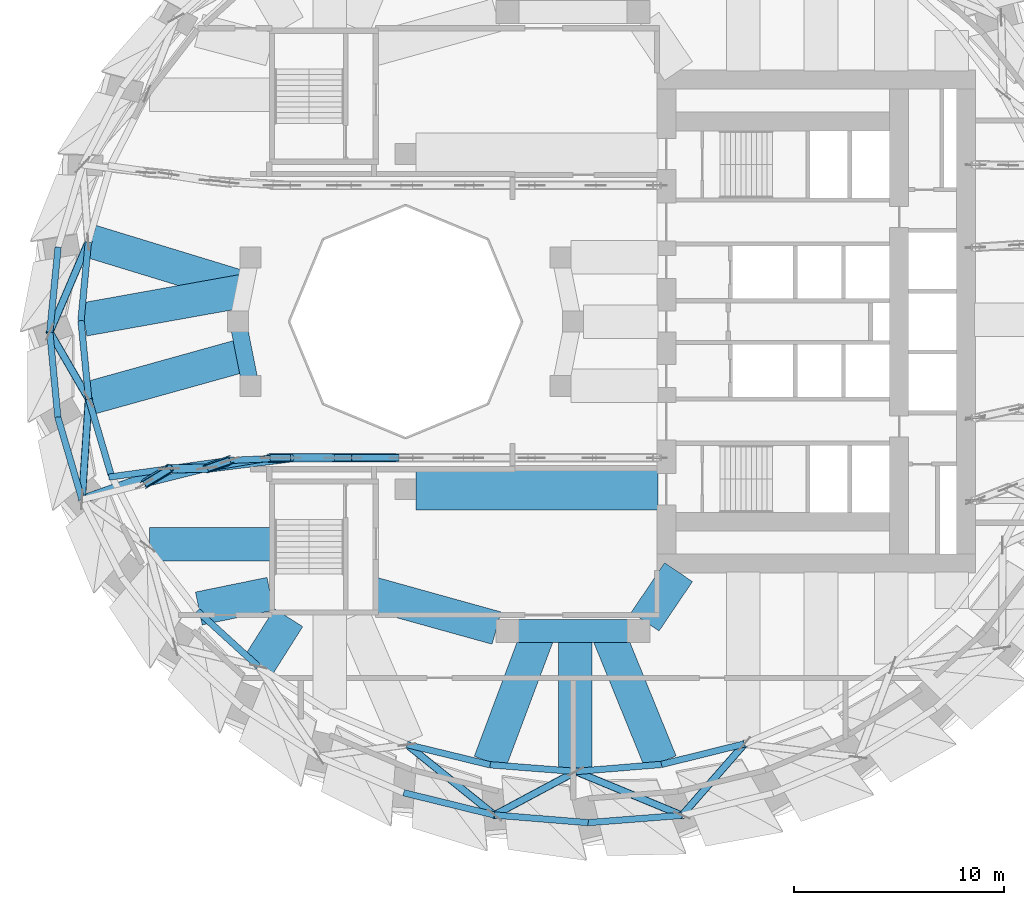
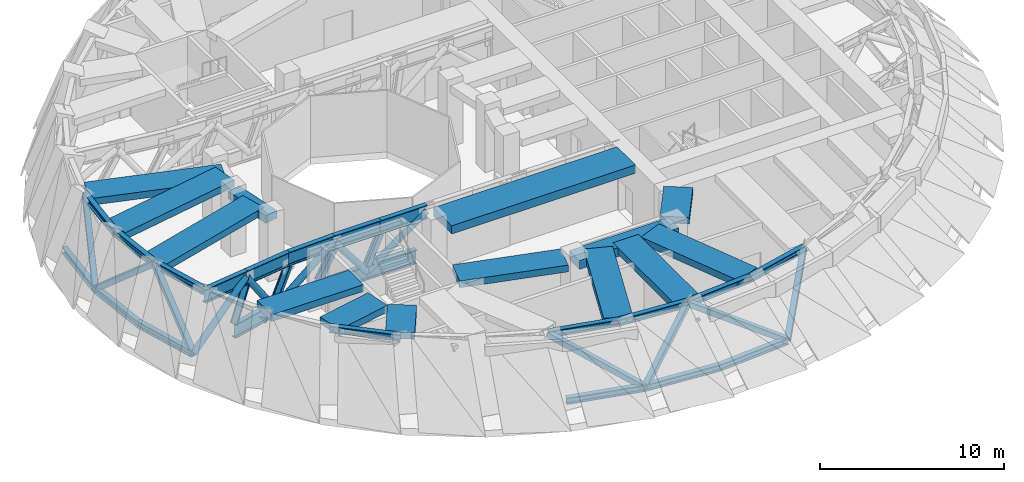
# One storey, part 2 of 14: 39 members, 14 beams.
"""IFC4 building model written with IfcOpenShell, lengths in metres."""

from ifc_helpers import new_model, si_unit, direction, frame, origin, origin_2d, place, context, subcontext, project, spatial, rectangle, hollow_rectangle, hollow_circle, i_section, extrude, material, material_profile, profile_set, type_object, element, save


model = new_model("IFC4")

# Units and contexts
model_context = context("Model", 3, precision=1e-05, world=origin(), true_north=direction((0.0, 1.0)))
body_context = subcontext(model_context, "Body", "Model", "MODEL_VIEW")
ifc_project = project(units=[si_unit("LENGTHUNIT", "METRE"), si_unit("AREAUNIT", "SQUARE_METRE"), si_unit("VOLUMEUNIT", "CUBIC_METRE"), si_unit("PLANEANGLEUNIT", "RADIAN"), si_unit("MASSUNIT", "GRAM", prefix="KILO")], contexts=[model_context])

# Site, building, storey
site_placement = place(None, origin())
site = spatial("IfcSite", under=ifc_project, at=site_placement, CompositionType="ELEMENT")
building_placement = place(site_placement, origin())
building = spatial("IfcBuilding", under=site, at=building_placement, Name="Taillehof Tower", CompositionType="ELEMENT")
storey_placement = place(building_placement, frame((0.0, 0.0, 135.10009765625)))
storey = spatial("IfcBuildingStorey", under=building, at=storey_placement, Name="L38", CompositionType="ELEMENT", Elevation=135.10009765625)

# Beam
ifc_material_1 = material(Name="Concrete C50/60", Category="concrete")
ifc_material_profile_1 = material_profile(ifc_material_1, rectangle(XDim=0.800048828125, YDim=0.5, at=origin_2d()), Name="RC 800x500")
ifc_profile_set_1 = profile_set([ifc_material_profile_1], Name="Concrete C50/60")
beam_type_1 = type_object("IfcBeamType", Name="Atrium ring beam C50/60 800x500", PredefinedType="BEAM", material=ifc_profile_set_1)
beam_1_placement = place(storey_placement, frame((-16.0, 0.0, 3.83984375), z_axis=(0.195063155143, -0.980790683839, 0.0), x_axis=(0.980790683839, 0.195063155143, 0.0)))
element("IfcBeam", 1, at=beam_1_placement, inside=storey, type_object=beam_type_1, Name="Atrium ring beam AB05", PredefinedType="BEAM", context=body_context, shape_type="SweptSolid", body=[
    extrude(rectangle(XDim=0.800048828125, YDim=0.5, at=origin_2d()), origin(), (0.0, 0.0, 1.0), 3.12158203125),
])

# Members
ifc_material_2 = material(Name="Steel S460M", Category="steel")
ifc_material_profile_2 = material_profile(ifc_material_2, i_section(OverallWidth=0.306884765625, OverallDepth=0.431884765625, WebThickness=0.02099609375, FlangeThickness=0.0400390625, FilletRadius=0.027099609375, at=origin_2d()), Name="HEM 400")
ifc_profile_set_2 = profile_set([ifc_material_profile_2], Name="Steel S460M")
member_type_1 = type_object("IfcMemberType", Name="Belt truss chord HEM 400", PredefinedType="CHORD", material=ifc_profile_set_2)
member_1_placement = place(storey_placement, frame((-24.578369140625, 3.553955078125, 0.89990234375), z_axis=(-0.09765758096, -0.995220074597, 0.0), x_axis=(0.995220074597, -0.09765758096, 0.0)))
element("IfcMember", 2, at=member_1_placement, inside=storey, type_object=member_type_1, Name="Belt truss bottom chord BB18", PredefinedType="CHORD", context=body_context, shape_type="SweptSolid", body=[
    extrude(i_section(OverallWidth=0.306884765625, OverallDepth=0.431884765625, WebThickness=0.02099609375, FlangeThickness=0.0400390625, FilletRadius=0.027099609375, at=origin_2d()), origin(), (0.0, 0.0, 1.0), 4.072509765625),
])
member_2_placement = place(storey_placement, frame((-23.13671875, 3.80029296875, 3.8740234375), z_axis=(-0.09287291107, -0.995677971228, 0.0), x_axis=(0.995677971228, -0.09287291107, 0.0)))
element("IfcMember", 3, at=member_2_placement, inside=storey, type_object=member_type_1, Name="Belt truss top chord BT18", PredefinedType="CHORD", context=body_context, shape_type="SweptSolid", body=[
    extrude(i_section(OverallWidth=0.306884765625, OverallDepth=0.431884765625, WebThickness=0.02099609375, FlangeThickness=0.0400390625, FilletRadius=0.027099609375, at=origin_2d()), origin(), (0.0, 0.0, 1.0), 3.76708984375),
])
member_3_placement = place(storey_placement, frame((-24.97607421875, -0.4990234375, 0.89990234375), z_axis=(0.094025700934, -0.995569770314, 0.0), x_axis=(0.995569770314, 0.094025700934, 0.0)))
element("IfcMember", 4, at=member_3_placement, inside=storey, type_object=member_type_1, Name="Belt truss bottom chord BB19", PredefinedType="CHORD", context=body_context, shape_type="SweptSolid", body=[
    extrude(i_section(OverallWidth=0.306884765625, OverallDepth=0.431884765625, WebThickness=0.02099609375, FlangeThickness=0.0400390625, FilletRadius=0.027099609375, at=origin_2d()), origin(), (0.0, 0.0, 1.0), 4.073974609375),
])
member_4_placement = place(storey_placement, frame((-23.486572265625, 0.049560546875, 3.8740234375), z_axis=(0.097584016688, -0.995227290465, 0.0), x_axis=(0.995227290465, 0.097584016688, 0.0)))
element("IfcMember", 5, at=member_4_placement, inside=storey, type_object=member_type_1, Name="Belt truss top chord BT19", PredefinedType="CHORD", context=body_context, shape_type="SweptSolid", body=[
    extrude(i_section(OverallWidth=0.306884765625, OverallDepth=0.431884765625, WebThickness=0.02099609375, FlangeThickness=0.0400390625, FilletRadius=0.027099609375, at=origin_2d()), origin(), (0.0, 0.0, 1.0), 3.765380859375),
])
member_5_placement = place(storey_placement, frame((-24.593017578125, -4.554931640625, 0.89990234375), z_axis=(0.281163604356, -0.959659849939, 0.0), x_axis=(0.959659849939, 0.281163604356, 0.0)))
element("IfcMember", 6, at=member_5_placement, inside=storey, type_object=member_type_1, Name="Belt truss bottom chord BB20", PredefinedType="CHORD", context=body_context, shape_type="SweptSolid", body=[
    extrude(i_section(OverallWidth=0.306884765625, OverallDepth=0.431884765625, WebThickness=0.02099609375, FlangeThickness=0.0400390625, FilletRadius=0.027099609375, at=origin_2d()), origin(), (0.0, 0.0, 1.0), 4.10009765625),
])
member_6_placement = place(storey_placement, frame((-23.119140625, -3.69775390625, 3.8740234375), z_axis=(0.283422973782, -0.958995004123, 0.0), x_axis=(0.958995004123, 0.283422973782, 0.0)))
element("IfcMember", 7, at=member_6_placement, inside=storey, type_object=member_type_1, Name="Belt truss top chord BT20", PredefinedType="CHORD", context=body_context, shape_type="SweptSolid", body=[
    extrude(i_section(OverallWidth=0.306884765625, OverallDepth=0.431884765625, WebThickness=0.02099609375, FlangeThickness=0.0400390625, FilletRadius=0.027099609375, at=origin_2d()), origin(), (0.0, 0.0, 1.0), 3.785888671875),
])
member_7_placement = place(storey_placement, frame((-17.936279296875, -13.806640625, 3.8740234375), z_axis=(0.739409618991, -0.673255832016, 0.0), x_axis=(0.673255832016, 0.739409618991, 0.0)))
element("IfcMember", 8, at=member_7_placement, inside=storey, type_object=member_type_1, Name="Belt truss top chord BT23", PredefinedType="CHORD", context=body_context, shape_type="SweptSolid", body=[
    extrude(i_section(OverallWidth=0.306884765625, OverallDepth=0.431884765625, WebThickness=0.02099609375, FlangeThickness=0.0400390625, FilletRadius=0.027099609375, at=origin_2d()), origin(), (0.0, 0.0, 1.0), 3.937744140625),
])
member_8_placement = place(storey_placement, frame((-8.08642578125, -22.483154296875, 0.89990234375), z_axis=(0.971239742486, -0.23810368039, 0.0), x_axis=(0.23810368039, 0.971239742486, 0.0)))
element("IfcMember", 9, at=member_8_placement, inside=storey, type_object=member_type_1, Name="Belt truss bottom chord BB26", PredefinedType="CHORD", context=body_context, shape_type="SweptSolid", body=[
    extrude(i_section(OverallWidth=0.306884765625, OverallDepth=0.431884765625, WebThickness=0.02099609375, FlangeThickness=0.0400390625, FilletRadius=0.027099609375, at=origin_2d()), origin(), (0.0, 0.0, 1.0), 4.46142578125),
])
member_9_placement = place(storey_placement, frame((-7.92919921875, -20.185302734375, 3.8740234375), z_axis=(0.971783274944, -0.23587553188, 0.0), x_axis=(0.23587553188, 0.971783274944, 0.0)))
element("IfcMember", 10, at=member_9_placement, inside=storey, type_object=member_type_1, Name="Belt truss top chord BT26", PredefinedType="CHORD", context=body_context, shape_type="SweptSolid", body=[
    extrude(i_section(OverallWidth=0.306884765625, OverallDepth=0.431884765625, WebThickness=0.02099609375, FlangeThickness=0.0400390625, FilletRadius=0.027099609375, at=origin_2d()), origin(), (0.0, 0.0, 1.0), 4.083251953125),
])
member_10_placement = place(storey_placement, frame((-3.75341796875, -23.54541015625, 0.89990234375), z_axis=(0.996719561975, -0.080932779373, 0.0), x_axis=(0.080932779373, 0.996719561975, 0.0)))
element("IfcMember", 11, at=member_10_placement, inside=storey, type_object=member_type_1, Name="Belt truss bottom chord BB27", PredefinedType="CHORD", context=body_context, shape_type="SweptSolid", body=[
    extrude(i_section(OverallWidth=0.306884765625, OverallDepth=0.431884765625, WebThickness=0.02099609375, FlangeThickness=0.0400390625, FilletRadius=0.027099609375, at=origin_2d()), origin(), (0.0, 0.0, 1.0), 4.485595703125),
])
member_11_placement = place(storey_placement, frame((-3.961181640625, -21.1484375, 3.8740234375), z_axis=(0.996987940292, -0.077556733505, 0.0), x_axis=(0.077556733505, 0.996987940292, 0.0)))
element("IfcMember", 12, at=member_11_placement, inside=storey, type_object=member_type_1, Name="Belt truss top chord BT27", PredefinedType="CHORD", context=body_context, shape_type="SweptSolid", body=[
    extrude(i_section(OverallWidth=0.306884765625, OverallDepth=0.431884765625, WebThickness=0.02099609375, FlangeThickness=0.0400390625, FilletRadius=0.027099609375, at=origin_2d()), origin(), (0.0, 0.0, 1.0), 4.101806640625),
])
member_12_placement = place(storey_placement, frame((0.717529296875, -23.908447265625, 0.89990234375), z_axis=(0.996985269396, 0.077591060097, 0.0), x_axis=(-0.077591060097, 0.996985269396, 0.0)))
element("IfcMember", 13, at=member_12_placement, inside=storey, type_object=member_type_1, Name="Belt truss bottom chord BB28", PredefinedType="CHORD", context=body_context, shape_type="SweptSolid", body=[
    extrude(i_section(OverallWidth=0.306884765625, OverallDepth=0.431884765625, WebThickness=0.02099609375, FlangeThickness=0.0400390625, FilletRadius=0.027099609375, at=origin_2d()), origin(), (0.0, 0.0, 1.0), 4.48681640625),
])
member_13_placement = place(storey_placement, frame((0.128173828125, -21.466552734375, 3.8740234375), z_axis=(0.996638341259, 0.081926898714, 0.0), x_axis=(-0.081926898714, 0.996638341259, 0.0)))
element("IfcMember", 14, at=member_13_placement, inside=storey, type_object=member_type_1, Name="Belt truss top chord BT28", PredefinedType="CHORD", context=body_context, shape_type="SweptSolid", body=[
    extrude(i_section(OverallWidth=0.306884765625, OverallDepth=0.431884765625, WebThickness=0.02099609375, FlangeThickness=0.0400390625, FilletRadius=0.027099609375, at=origin_2d()), origin(), (0.0, 0.0, 1.0), 4.100341796875),
])
member_14_placement = place(storey_placement, frame((4.21484375, -21.130615234375, 3.8740234375), z_axis=(0.97075895259, 0.240056359978, 0.0), x_axis=(-0.240056359978, 0.97075895259, 0.0)))
element("IfcMember", 15, at=member_14_placement, inside=storey, type_object=member_type_1, Name="Belt truss top chord BT29", PredefinedType="CHORD", context=body_context, shape_type="SweptSolid", body=[
    extrude(i_section(OverallWidth=0.306884765625, OverallDepth=0.431884765625, WebThickness=0.02099609375, FlangeThickness=0.0400390625, FilletRadius=0.027099609375, at=origin_2d()), origin(), (0.0, 0.0, 1.0), 4.079345703125),
])
ifc_material_3 = material(Name="Steel S460M", Category="steel")
ifc_material_profile_3 = material_profile(ifc_material_3, hollow_rectangle(XDim=0.35009765625, YDim=0.35009765625, WallThickness=0.01611328125, InnerFilletRadius=0.01611328125, OuterFilletRadius=0.02392578125, at=origin_2d()), Name="RHS 350x350x16")
ifc_profile_set_3 = profile_set([ifc_material_profile_3], Name="Steel S460M")
member_type_2 = type_object("IfcMemberType", Name="Belt truss diagonal RHS 350x350x16", PredefinedType="BRACE", material=ifc_profile_set_3)
member_15_placement = place(storey_placement, frame((-23.13671875, 3.80029296875, 3.8740234375), z_axis=(-0.331899303602, -0.77578268336, -0.536660116337), x_axis=(0.919393288096, -0.393339524845, 0.0)))
element("IfcMember", 16, at=member_15_placement, inside=storey, type_object=member_type_2, Name="Belt truss diagonal BX18", PredefinedType="BRACE", context=body_context, shape_type="SweptSolid", body=[
    extrude(hollow_rectangle(XDim=0.35009765625, YDim=0.35009765625, WallThickness=0.01611328125, InnerFilletRadius=0.01611328125, OuterFilletRadius=0.02392578125, at=origin_2d()), origin(), (0.0, 0.0, 1.0), 5.5419921875),
])
member_16_placement = place(storey_placement, frame((-24.97607421875, -0.4990234375, 0.89990234375), z_axis=(0.391254541488, -0.673970155479, 0.626645125481), x_axis=(0.864835174141, 0.502055894865, 0.0)))
element("IfcMember", 17, at=member_16_placement, inside=storey, type_object=member_type_2, Name="Belt truss diagonal BX19", PredefinedType="BRACE", context=body_context, shape_type="SweptSolid", body=[
    extrude(hollow_rectangle(XDim=0.35009765625, YDim=0.35009765625, WallThickness=0.01611328125, InnerFilletRadius=0.01611328125, OuterFilletRadius=0.02392578125, at=origin_2d()), origin(), (0.0, 0.0, 1.0), 4.74609375),
])
member_17_placement = place(storey_placement, frame((-23.119140625, -3.69775390625, 3.8740234375), z_axis=(-0.056831764366, -0.848284312536, -0.526482550199), x_axis=(0.997763286194, -0.066846276816, 0.0)))
element("IfcMember", 18, at=member_17_placement, inside=storey, type_object=member_type_2, Name="Belt truss diagonal BX20", PredefinedType="BRACE", context=body_context, shape_type="SweptSolid", body=[
    extrude(hollow_rectangle(XDim=0.35009765625, YDim=0.35009765625, WallThickness=0.01611328125, InnerFilletRadius=0.01611328125, OuterFilletRadius=0.02392578125, at=origin_2d()), origin(), (0.0, 0.0, 1.0), 5.64892578125),
])
member_18_placement = place(storey_placement, frame((-7.92919921875, -20.185302734375, 3.8740234375), z_axis=(0.681240675736, -0.548170920261, -0.485200766593), x_axis=(0.62690894265, 0.7790925347, 0.0)))
element("IfcMember", 19, at=member_18_placement, inside=storey, type_object=member_type_2, Name="Belt truss diagonal BX26", PredefinedType="BRACE", context=body_context, shape_type="SweptSolid", body=[
    extrude(hollow_rectangle(XDim=0.35009765625, YDim=0.35009765625, WallThickness=0.01611328125, InnerFilletRadius=0.01611328125, OuterFilletRadius=0.02392578125, at=origin_2d()), origin(), (0.0, 0.0, 1.0), 6.129638671875),
])
member_19_placement = place(storey_placement, frame((-3.75341796875, -23.54541015625, 0.89990234375), z_axis=(0.730508375266, 0.39123711022, 0.559724072425), x_axis=(-0.472121398134, 0.88153354186, 0.0)))
element("IfcMember", 20, at=member_19_placement, inside=storey, type_object=member_type_2, Name="Belt truss diagonal BX27", PredefinedType="BRACE", context=body_context, shape_type="SweptSolid", body=[
    extrude(hollow_rectangle(XDim=0.35009765625, YDim=0.35009765625, WallThickness=0.01611328125, InnerFilletRadius=0.01611328125, OuterFilletRadius=0.02392578125, at=origin_2d()), origin(), (0.0, 0.0, 1.0), 5.3134765625),
])
member_20_placement = place(storey_placement, frame((0.128173828125, -21.466552734375, 3.8740234375), z_axis=(0.812140993393, -0.335869275177, -0.477094159305), x_axis=(0.382168106187, 0.924092819263, 0.0)))
element("IfcMember", 21, at=member_20_placement, inside=storey, type_object=member_type_2, Name="Belt truss diagonal BX28", PredefinedType="BRACE", context=body_context, shape_type="SweptSolid", body=[
    extrude(hollow_rectangle(XDim=0.35009765625, YDim=0.35009765625, WallThickness=0.01611328125, InnerFilletRadius=0.01611328125, OuterFilletRadius=0.02392578125, at=origin_2d()), origin(), (0.0, 0.0, 1.0), 6.23388671875),
])
member_21_placement = place(storey_placement, frame((5.19091796875, -23.560302734375, 0.89990234375), z_axis=(0.550594292692, 0.629025373005, 0.548792314971), x_axis=(-0.752459842677, 0.658638129141, 0.0)))
element("IfcMember", 22, at=member_21_placement, inside=storey, type_object=member_type_2, Name="Belt truss diagonal BX29", PredefinedType="BRACE", context=body_context, shape_type="SweptSolid", body=[
    extrude(hollow_rectangle(XDim=0.35009765625, YDim=0.35009765625, WallThickness=0.01611328125, InnerFilletRadius=0.01611328125, OuterFilletRadius=0.02392578125, at=origin_2d()), origin(), (0.0, 0.0, 1.0), 5.41943359375),
])

# Beam
ifc_material_4 = material(Name="Concrete C50/60", Category="concrete")
ifc_material_profile_4 = material_profile(ifc_material_4, rectangle(XDim=1.10009765625, YDim=0.60009765625, at=origin_2d()), Name="RC 1100x600")
ifc_profile_set_4 = profile_set([ifc_material_profile_4], Name="Concrete C50/60")
beam_type_2 = type_object("IfcBeamType", Name="Mid-ring beam C50/60 1100x600", PredefinedType="BEAM", material=ifc_profile_set_4)
beam_2_placement = place(storey_placement, frame((-3.125732421875, -14.772216796875, 3.789794921875), z_axis=(1.0, 0.0, 0.0), x_axis=(0.0, 1.0, 0.0)))
element("IfcBeam", 23, at=beam_2_placement, inside=storey, type_object=beam_type_2, Name="Mid-ring beam MB02", PredefinedType="BEAM", context=body_context, shape_type="SweptSolid", body=[
    extrude(rectangle(XDim=1.10009765625, YDim=0.60009765625, at=origin_2d()), origin(), (0.0, 0.0, 1.0), 6.25146484375),
])

# Members
ifc_material_5 = material(Name="Steel S460M", Category="steel")
ifc_material_profile_5 = material_profile(ifc_material_5, i_section(OverallWidth=0.302001953125, OverallDepth=0.909912109375, WebThickness=0.02099609375, FlangeThickness=0.0400390625, FilletRadius=0.030029296875, at=origin_2d()), Name="HEM 900")
ifc_profile_set_5 = profile_set([ifc_material_profile_5], Name="Steel S460M")
member_type_3 = type_object("IfcMemberType", Name="Outrigger chord HEM 900", PredefinedType="CHORD", material=ifc_profile_set_5)
member_22_placement = place(storey_placement, frame((-8.3046875, -6.5, 0.89990234375), z_axis=(-1.0, 0.0, 0.0), x_axis=(0.0, -1.0, 0.0)))
element("IfcMember", 24, at=member_22_placement, inside=storey, type_object=member_type_3, Name="Outrigger OT6 bottom chord 05", PredefinedType="CHORD", context=body_context, shape_type="SweptSolid", body=[
    extrude(i_section(OverallWidth=0.302001953125, OverallDepth=0.909912109375, WebThickness=0.02099609375, FlangeThickness=0.0400390625, FilletRadius=0.030029296875, at=origin_2d()), origin(), (0.0, 0.0, 1.0), 3.076171875),
])
member_23_placement = place(storey_placement, frame((-7.654052734375, -6.5, 3.635009765625), z_axis=(-1.0, 0.0, 0.0), x_axis=(0.0, -1.0, 0.0)))
element("IfcMember", 25, at=member_23_placement, inside=storey, type_object=member_type_3, Name="Outrigger OT6 top chord 05", PredefinedType="CHORD", context=body_context, shape_type="SweptSolid", body=[
    extrude(i_section(OverallWidth=0.302001953125, OverallDepth=0.909912109375, WebThickness=0.02099609375, FlangeThickness=0.0400390625, FilletRadius=0.030029296875, at=origin_2d()), origin(), (0.0, 0.0, 1.0), 2.91357421875),
])
member_24_placement = place(storey_placement, frame((-11.380859375, -6.5, 0.89990234375), z_axis=(-1.0, 0.0, 0.0), x_axis=(0.0, -1.0, 0.0)))
element("IfcMember", 26, at=member_24_placement, inside=storey, type_object=member_type_3, Name="Outrigger OT6 bottom chord 06", PredefinedType="CHORD", context=body_context, shape_type="SweptSolid", body=[
    extrude(i_section(OverallWidth=0.302001953125, OverallDepth=0.909912109375, WebThickness=0.02099609375, FlangeThickness=0.0400390625, FilletRadius=0.030029296875, at=origin_2d()), origin(), (0.0, 0.0, 1.0), 3.076416015625),
])
member_25_placement = place(storey_placement, frame((-10.567626953125, -6.5, 3.635009765625), z_axis=(-1.0, 0.0, 0.0), x_axis=(0.0, -1.0, 0.0)))
element("IfcMember", 27, at=member_25_placement, inside=storey, type_object=member_type_3, Name="Outrigger OT6 top chord 06", PredefinedType="CHORD", context=body_context, shape_type="SweptSolid", body=[
    extrude(i_section(OverallWidth=0.302001953125, OverallDepth=0.909912109375, WebThickness=0.02099609375, FlangeThickness=0.0400390625, FilletRadius=0.030029296875, at=origin_2d()), origin(), (0.0, 0.0, 1.0), 2.91357421875),
])
member_26_placement = place(storey_placement, frame((-14.457275390625, -6.5, 0.89990234375), z_axis=(-0.986822436597, -0.161806917742, 0.0), x_axis=(0.161806917742, -0.986822436597, 0.0)))
element("IfcMember", 28, at=member_26_placement, inside=storey, type_object=member_type_3, Name="Outrigger OT6 bottom chord 07", PredefinedType="CHORD", context=body_context, shape_type="SweptSolid", body=[
    extrude(i_section(OverallWidth=0.302001953125, OverallDepth=0.909912109375, WebThickness=0.02099609375, FlangeThickness=0.0400390625, FilletRadius=0.030029296875, at=origin_2d()), origin(), (0.0, 0.0, 1.0), 3.055419921875),
])
member_27_placement = place(storey_placement, frame((-13.481201171875, -6.5, 3.635009765625), z_axis=(-0.99911125485, -0.042150924442, 0.0), x_axis=(0.042150924442, -0.99911125485, 0.0)))
element("IfcMember", 29, at=member_27_placement, inside=storey, type_object=member_type_3, Name="Outrigger OT6 top chord 07", PredefinedType="CHORD", context=body_context, shape_type="SweptSolid", body=[
    extrude(i_section(OverallWidth=0.302001953125, OverallDepth=0.909912109375, WebThickness=0.02099609375, FlangeThickness=0.0400390625, FilletRadius=0.030029296875, at=origin_2d()), origin(), (0.0, 0.0, 1.0), 2.90771484375),
])
member_28_placement = place(storey_placement, frame((-17.472412109375, -6.994384765625, 0.89990234375), z_axis=(-0.970020994131, -0.243021132714, 0.0), x_axis=(0.243021132714, -0.970020994131, 0.0)))
element("IfcMember", 30, at=member_28_placement, inside=storey, type_object=member_type_3, Name="Outrigger OT6 bottom chord 08", PredefinedType="CHORD", context=body_context, shape_type="SweptSolid", body=[
    extrude(i_section(OverallWidth=0.302001953125, OverallDepth=0.909912109375, WebThickness=0.02099609375, FlangeThickness=0.0400390625, FilletRadius=0.030029296875, at=origin_2d()), origin(), (0.0, 0.0, 1.0), 3.076171875),
])
for number, where, z_axis, x_axis, name in (
    (31, (-16.38623046875, -6.62255859375, 3.635009765625), (-0.990547064294, -0.137173297035, 0.0), (0.137173297035, -0.990547064294, 0.0), "Outrigger OT6 top chord 08"),
    (32, (-19.272216796875, -7.022216796875, 3.635009765625), (-0.990558446866, -0.137091076819, 0.0), (0.137091076819, -0.990558446866, 0.0), "Outrigger OT6 top chord 09"),
):
    element("IfcMember", number, at=place(storey_placement, frame(where, z_axis=z_axis, x_axis=x_axis)), inside=storey, type_object=member_type_3, Name=name, PredefinedType="CHORD", context=body_context, shape_type="SweptSolid", body=[
        extrude(i_section(OverallWidth=0.302001953125, OverallDepth=0.909912109375, WebThickness=0.02099609375, FlangeThickness=0.0400390625, FilletRadius=0.030029296875, at=origin_2d()), origin(), (0.0, 0.0, 1.0), 2.91357421875),
    ])
ifc_material_6 = material(Name="Steel S460M", Category="steel")
ifc_material_profile_6 = material_profile(ifc_material_6, hollow_circle(Radius=0.203125, WallThickness=0.02001953125, at=origin_2d()), Name="CHS 406.4x20")
ifc_profile_set_6 = profile_set([ifc_material_profile_6], Name="Steel S460M")
member_type_4 = type_object("IfcMemberType", Name="Outrigger diagonal CHS 406.4x20", PredefinedType="BRACE", material=ifc_profile_set_6)
member_29_placement = place(storey_placement, frame((-7.654052734375, -6.5, 3.635009765625), z_axis=(-0.806186668566, 0.0, -0.591661267471), x_axis=(0.0, -1.0, 0.0)))
element("IfcMember", 33, at=member_29_placement, inside=storey, type_object=member_type_4, Name="Outrigger OT6 diagonal 05", PredefinedType="BRACE", context=body_context, shape_type="SweptSolid", body=[
    extrude(hollow_circle(Radius=0.203125, WallThickness=0.02001953125, at=origin_2d()), origin(), (0.0, 0.0, 1.0), 4.622802734375),
])
member_30_placement = place(storey_placement, frame((-11.380859375, -6.5, 0.89990234375), z_axis=(-0.609057073321, 0.0, 0.793126396886), x_axis=(0.0, -1.0, 0.0)))
element("IfcMember", 34, at=member_30_placement, inside=storey, type_object=member_type_4, Name="Outrigger OT6 diagonal 06", PredefinedType="BRACE", context=body_context, shape_type="SweptSolid", body=[
    extrude(hollow_circle(Radius=0.203125, WallThickness=0.02001953125, at=origin_2d()), origin(), (0.0, 0.0, 1.0), 3.448486328125),
])
member_31_placement = place(storey_placement, frame((-13.481201171875, -6.5, 3.635009765625), z_axis=(-0.820622202904, -0.101649128999, -0.562358119595), x_axis=(0.122928881349, -0.992415482613, 0.0)))
element("IfcMember", 35, at=member_31_placement, inside=storey, type_object=member_type_4, Name="Outrigger OT6 diagonal 07", PredefinedType="BRACE", context=body_context, shape_type="SweptSolid", body=[
    extrude(hollow_circle(Radius=0.203125, WallThickness=0.02001953125, at=origin_2d()), origin(), (0.0, 0.0, 1.0), 4.863525390625),
])
member_32_placement = place(storey_placement, frame((-17.472412109375, -6.994384765625, 0.89990234375), z_axis=(-0.54968017927, -0.008500208958, 0.835331938193), x_axis=(0.015462068893, -0.999880455067, 0.0)))
element("IfcMember", 36, at=member_32_placement, inside=storey, type_object=member_type_4, Name="Outrigger OT6 diagonal 08", PredefinedType="BRACE", context=body_context, shape_type="SweptSolid", body=[
    extrude(hollow_circle(Radius=0.203125, WallThickness=0.02001953125, at=origin_2d()), origin(), (0.0, 0.0, 1.0), 3.274169921875),
])
member_33_placement = place(storey_placement, frame((-19.272216796875, -7.022216796875, 3.635009765625), z_axis=(-0.802030637608, -0.282392582161, -0.526309116279), x_axis=(0.332111964927, -0.943239970926, 0.0)))
element("IfcMember", 37, at=member_33_placement, inside=storey, type_object=member_type_4, Name="Outrigger OT6 diagonal 09", PredefinedType="BRACE", context=body_context, shape_type="SweptSolid", body=[
    extrude(hollow_circle(Radius=0.203125, WallThickness=0.02001953125, at=origin_2d()), origin(), (0.0, 0.0, 1.0), 5.19677734375),
])
ifc_material_7 = material(Name="Steel S460M", Category="steel")
ifc_material_profile_7 = material_profile(ifc_material_7, i_section(OverallWidth=0.300048828125, OverallDepth=0.39990234375, WebThickness=0.013427734375, FlangeThickness=0.02392578125, FilletRadius=0.027099609375, at=origin_2d()), Name="HEB 400")
ifc_profile_set_7 = profile_set([ifc_material_profile_7], Name="Steel S460M")
member_type_5 = type_object("IfcMemberType", Name="Outrigger post HEB 400", PredefinedType="POST", material=ifc_profile_set_7)
member_34_placement = place(storey_placement, frame((-11.380859375, -6.5, 1.35498046875), z_axis=(0.407033953013, 0.0, 0.913413028752), x_axis=(-0.913413028752, 0.0, 0.407033953013)))
element("IfcMember", 38, at=member_34_placement, inside=storey, type_object=member_type_5, Name="Outrigger OT6 post 06", PredefinedType="POST", context=body_context, shape_type="SweptSolid", body=[
    extrude(i_section(OverallWidth=0.300048828125, OverallDepth=0.39990234375, WebThickness=0.013427734375, FlangeThickness=0.02392578125, FilletRadius=0.027099609375, at=origin_2d()), origin(), (0.0, 0.0, 1.0), 1.998046875),
])
member_35_placement = place(storey_placement, frame((-14.457275390625, -6.5, 1.35498046875), z_axis=(0.471628785913, 0.0, 0.881797192272), x_axis=(-0.87890842256, -0.080878134215, 0.470083728882)))
element("IfcMember", 39, at=member_35_placement, inside=storey, type_object=member_type_5, Name="Outrigger OT6 post 07", PredefinedType="POST", context=body_context, shape_type="SweptSolid", body=[
    extrude(i_section(OverallWidth=0.300048828125, OverallDepth=0.39990234375, WebThickness=0.013427734375, FlangeThickness=0.02392578125, FilletRadius=0.027099609375, at=origin_2d()), origin(), (0.0, 0.0, 1.0), 2.069580078125),
])
member_36_placement = place(storey_placement, frame((-17.472412109375, -6.994384765625, 1.35498046875), z_axis=(0.503786368401, 0.172458224112, 0.846438099302), x_axis=(-0.718522763508, -0.460257610287, 0.521428777968)))
element("IfcMember", 40, at=member_36_placement, inside=storey, type_object=member_type_5, Name="Outrigger OT6 post 08", PredefinedType="POST", context=body_context, shape_type="SweptSolid", body=[
    extrude(i_section(OverallWidth=0.300048828125, OverallDepth=0.39990234375, WebThickness=0.013427734375, FlangeThickness=0.02392578125, FilletRadius=0.027099609375, at=origin_2d()), origin(), (0.0, 0.0, 1.0), 2.156005859375),
])
member_37_placement = place(storey_placement, frame((-20.456298828125, -7.741943359375, 1.35498046875), z_axis=(0.516750993434, 0.314099366731, 0.796435809469), x_axis=(-0.533899759513, -0.608990766347, 0.58658442981)))
element("IfcMember", 41, at=member_37_placement, inside=storey, type_object=member_type_5, Name="Outrigger OT6 post 09", PredefinedType="POST", context=body_context, shape_type="SweptSolid", body=[
    extrude(i_section(OverallWidth=0.300048828125, OverallDepth=0.39990234375, WebThickness=0.013427734375, FlangeThickness=0.02392578125, FilletRadius=0.027099609375, at=origin_2d()), origin(), (0.0, 0.0, 1.0), 2.29150390625),
])

# Beams
ifc_material_8 = material(Name="Concrete C50/60", Category="concrete")
ifc_material_profile_8 = material_profile(ifc_material_8, rectangle(XDim=1.60009765625, YDim=0.449951171875, at=origin_2d()), Name="RC 1600x450")
ifc_profile_set_8 = profile_set([ifc_material_profile_8], Name="Concrete C50/60")
beam_type_3 = type_object("IfcBeamType", Name="Radial band beam C50/60 1600x450", PredefinedType="BEAM", material=ifc_profile_set_8)
beam_3_placement = place(storey_placement, frame((-22.99365234375, 3.82470703125, 3.864990234375), z_axis=(0.956324293447, -0.292307792854, 0.0), x_axis=(0.292307792854, 0.956324293447, 0.0)))
element("IfcBeam", 42, at=beam_3_placement, inside=storey, type_object=beam_type_3, Name="Radial band beam RB18", PredefinedType="BEAM", context=body_context, shape_type="SweptSolid", body=[
    extrude(rectangle(XDim=1.60009765625, YDim=0.449951171875, at=origin_2d()), origin(), (0.0, 0.0, 1.0), 7.643798828125),
])
beam_4_placement = place(storey_placement, frame((-23.35009765625, 0.10009765625, 3.864990234375), z_axis=(0.984286763882, 0.176577366745, 0.0), x_axis=(-0.176577366745, 0.984286763882, 0.0)))
element("IfcBeam", 43, at=beam_4_placement, inside=storey, type_object=beam_type_3, Name="Radial band beam RB19", PredefinedType="BEAM", context=body_context, shape_type="SweptSolid", body=[
    extrude(rectangle(XDim=1.60009765625, YDim=0.449951171875, at=origin_2d()), origin(), (0.0, 0.0, 1.0), 7.764892578125),
])
beam_5_placement = place(storey_placement, frame((-22.99365234375, -3.624755859375, 3.864990234375), z_axis=(0.96338688135, 0.268115118639, 0.0), x_axis=(-0.268115118639, 0.96338688135, 0.0)))
element("IfcBeam", 44, at=beam_5_placement, inside=storey, type_object=beam_type_3, Name="Radial band beam RB20", PredefinedType="BEAM", context=body_context, shape_type="SweptSolid", body=[
    extrude(rectangle(XDim=1.60009765625, YDim=0.449951171875, at=origin_2d()), origin(), (0.0, 0.0, 1.0), 7.587890625),
])
beam_6_placement = place(storey_placement, frame((-20.208251953125, -10.625, 3.864990234375), z_axis=(1.0, 0.0, 0.0), x_axis=(0.0, 1.0, 0.0)))
element("IfcBeam", 45, at=beam_6_placement, inside=storey, type_object=beam_type_3, Name="Radial band beam RB22", PredefinedType="BEAM", context=body_context, shape_type="SweptSolid", body=[
    extrude(rectangle(XDim=1.60009765625, YDim=0.449951171875, at=origin_2d()), origin(), (0.0, 0.0, 1.0), 5.75830078125),
])
beam_7_placement = place(storey_placement, frame((-17.86376953125, -13.687744140625, 3.864990234375), z_axis=(0.979733379152, 0.200306030304, 0.0), x_axis=(-0.200306030304, 0.979733379152, 0.0)))
element("IfcBeam", 46, at=beam_7_placement, inside=storey, type_object=beam_type_3, Name="Radial band beam RB23", PredefinedType="BEAM", context=body_context, shape_type="SweptSolid", body=[
    extrude(rectangle(XDim=1.60009765625, YDim=0.449951171875, at=origin_2d()), origin(), (0.0, 0.0, 1.0), 3.4833984375),
])
beam_8_placement = place(storey_placement, frame((-14.973388671875, -16.33154296875, 3.864990234375), z_axis=(0.534207803896, 0.845353193794, 0.0), x_axis=(-0.845353193794, 0.534207803896, 0.0)))
element("IfcBeam", 47, at=beam_8_placement, inside=storey, type_object=beam_type_3, Name="Radial band beam RB24", PredefinedType="BEAM", context=body_context, shape_type="SweptSolid", body=[
    extrude(rectangle(XDim=1.60009765625, YDim=0.449951171875, at=origin_2d()), origin(), (0.0, 0.0, 1.0), 2.608154296875),
])
beam_9_placement = place(storey_placement, frame((-3.97216796875, -21.024169921875, 3.864990234375), z_axis=(0.351379850477, 0.936232984186, 0.0), x_axis=(-0.936232984186, 0.351379850477, 0.0)))
element("IfcBeam", 48, at=beam_9_placement, inside=storey, type_object=beam_type_3, Name="Radial band beam RB27", PredefinedType="BEAM", context=body_context, shape_type="SweptSolid", body=[
    extrude(rectangle(XDim=1.60009765625, YDim=0.449951171875, at=origin_2d()), origin(), (0.0, 0.0, 1.0), 6.677734375),
])
beam_10_placement = place(storey_placement, frame((0.10009765625, -21.35009765625, 3.864990234375), z_axis=(0.0, 1.0, 0.0), x_axis=(-1.0, 0.0, 0.0)))
element("IfcBeam", 49, at=beam_10_placement, inside=storey, type_object=beam_type_3, Name="Radial band beam RB28", PredefinedType="BEAM", context=body_context, shape_type="SweptSolid", body=[
    extrude(rectangle(XDim=1.60009765625, YDim=0.449951171875, at=origin_2d()), origin(), (0.0, 0.0, 1.0), 6.577880859375),
])
beam_11_placement = place(storey_placement, frame((4.172119140625, -21.024169921875, 3.864990234375), z_axis=(-0.377207279938, 0.926128861424, 0.0), x_axis=(-0.926128861424, -0.377207279938, 0.0)))
element("IfcBeam", 50, at=beam_11_placement, inside=storey, type_object=beam_type_3, Name="Radial band beam RB29", PredefinedType="BEAM", context=body_context, shape_type="SweptSolid", body=[
    extrude(rectangle(XDim=1.60009765625, YDim=0.449951171875, at=origin_2d()), origin(), (0.0, 0.0, 1.0), 6.750732421875),
])
beam_12_placement = place(storey_placement, frame((-3.655517578125, -14.624755859375, 3.864990234375), z_axis=(-0.963459369536, 0.267854518821, 0.0), x_axis=(-0.267854518821, -0.963459369536, 0.0)))
element("IfcBeam", 51, at=beam_12_placement, inside=storey, type_object=beam_type_3, Name="Inner band beam IB214", PredefinedType="BEAM", context=body_context, shape_type="SweptSolid", body=[
    extrude(rectangle(XDim=1.60009765625, YDim=0.449951171875, at=origin_2d()), origin(), (0.0, 0.0, 1.0), 6.096923828125),
])
beam_13_placement = place(storey_placement, frame((3.433837890625, -14.31640625, 3.864990234375), z_axis=(0.560112043398, 0.828416862962, 0.0), x_axis=(-0.828416862962, 0.560112043398, 0.0)))
element("IfcBeam", 52, at=beam_13_placement, inside=storey, type_object=beam_type_3, Name="Inner band beam IB215", PredefinedType="BEAM", context=body_context, shape_type="SweptSolid", body=[
    extrude(rectangle(XDim=1.60009765625, YDim=0.449951171875, at=origin_2d()), origin(), (0.0, 0.0, 1.0), 2.84619140625),
])
ifc_material_9 = material(Name="Concrete C50/60", Category="concrete")
ifc_material_profile_9 = material_profile(ifc_material_9, rectangle(XDim=2.0, YDim=0.550048828125, at=origin_2d()), Name="RC 2000x550")
ifc_profile_set_9 = profile_set([ifc_material_profile_9], Name="Concrete C50/60")
beam_type_4 = type_object("IfcBeamType", Name="Radial band beam C50/60 2000x550", PredefinedType="BEAM", material=ifc_profile_set_9)
beam_14_placement = place(storey_placement, frame((-7.5, -8.0, 3.81494140625), z_axis=(1.0, 0.0, 0.0), x_axis=(0.0, 1.0, 0.0)))
element("IfcBeam", 53, at=beam_14_placement, inside=storey, type_object=beam_type_4, Name="Inner band beam IB113", PredefinedType="BEAM", context=body_context, shape_type="SweptSolid", body=[
    extrude(rectangle(XDim=2.0, YDim=0.550048828125, at=origin_2d()), origin(), (0.0, 0.0, 1.0), 11.550048828125),
])

save(model, "model.ifc")
